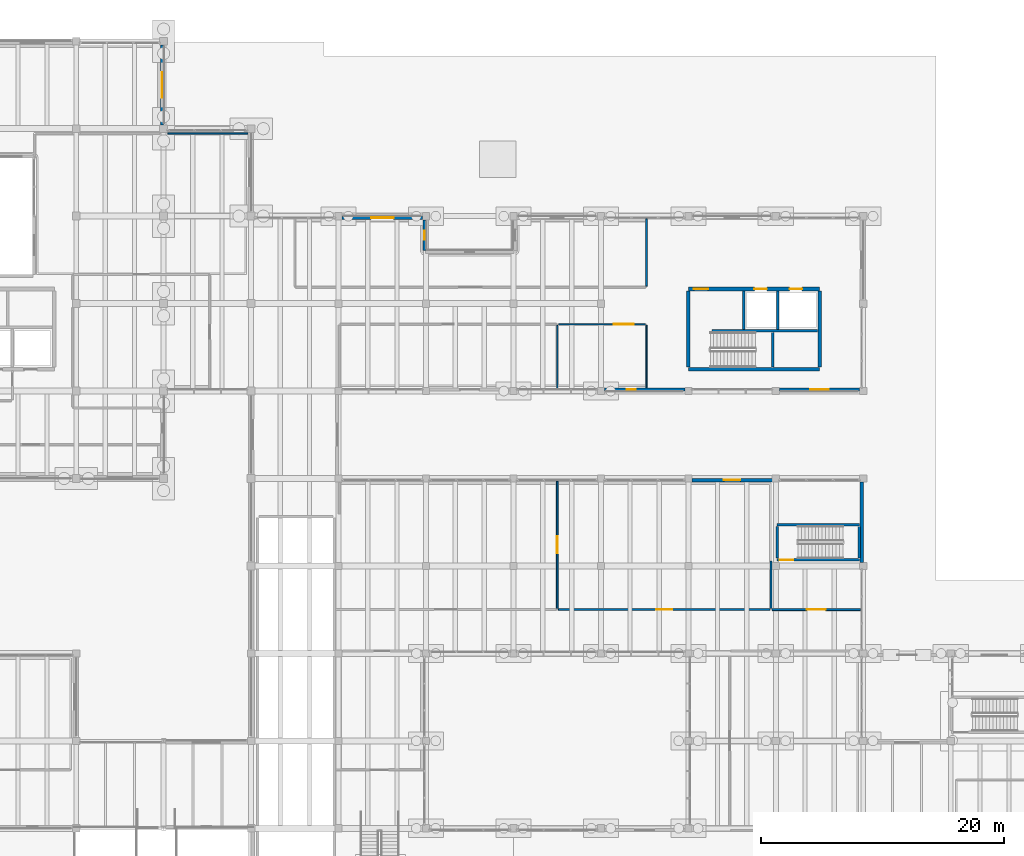
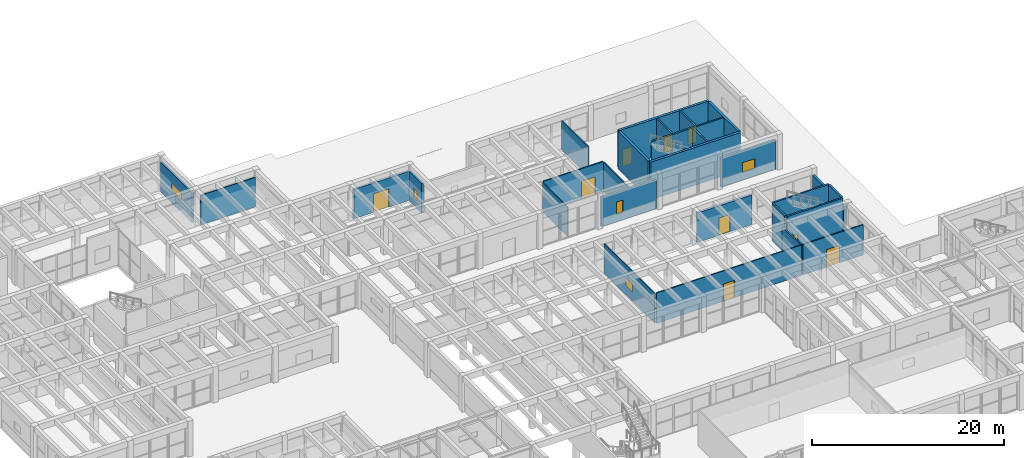
# One storey, part 125 of 155: 28 walls, 9 doors, 5 windows, 14 openings.
"""IFC4 building model written with IfcOpenShell, lengths in metres."""

from ifc_helpers import new_model, si_unit, direction, frame, frame_2d, origin, place, context, subcontext, project, spatial, rectangle, extrude, material, layer, layer_set, type_object, element, fill, save


model = new_model("IFC4")

# Units and contexts
model_context = context("Model", 3, precision=1e-05, world=origin(), true_north=direction((0.0, 1.0)))
body_context = subcontext(model_context, "Body", "Model", "MODEL_VIEW")
ifc_project = project(units=[si_unit("LENGTHUNIT", "METRE"), si_unit("AREAUNIT", "SQUARE_METRE"), si_unit("VOLUMEUNIT", "CUBIC_METRE"), si_unit("PLANEANGLEUNIT", "RADIAN"), si_unit("MASSUNIT", "GRAM", prefix="KILO")], contexts=[model_context])

# Site, building, storey
site_placement = place(None, origin())
site = spatial("IfcSite", under=ifc_project, at=site_placement, CompositionType="ELEMENT")
building_placement = place(site_placement, origin())
building = spatial("IfcBuilding", under=site, at=building_placement, Name="Bramvelor Terrace Health Centre", CompositionType="ELEMENT")
storey_placement = place(building_placement, origin())
storey = spatial("IfcBuildingStorey", under=building, at=storey_placement, Name="L01", CompositionType="ELEMENT", Elevation=0.0)

# Walls
ifc_material_1 = material(Name="Acoustic clinical partition board", Category="gypsum")
ifc_layer_1 = layer(ifc_material_1, 0.110107421875)
ifc_layer_set_1 = layer_set([ifc_layer_1], Name="Acoustic clinical partition board")
wall_type_1 = type_object("IfcWallType", Name="WL-CLN-110", PredefinedType="PARTITIONING", material=ifc_layer_set_1)
wall_1_placement = place(storey_placement, frame((68.39990234375, 91.80810546875, 0.0), z_axis=(0.0, 0.0, 1.0), x_axis=(0.0, -1.0, 0.0)))
element("IfcWall", 1, at=wall_1_placement, inside=storey, type_object=wall_type_1, Name="L01 Interior Partition 123", PredefinedType="PARTITIONING", context=body_context, shape_type="SweptSolid", body=[
    extrude(rectangle(XDim=5.17822265625, YDim=0.110107421875, at=frame_2d((2.589111328125, 0.0))), origin(), (0.0, 0.0, 1.0), 3.72998046875),
])
ifc_material_2 = material(Name="Acoustic clinical partition board", Category="gypsum")
ifc_layer_2 = layer(ifc_material_2, 0.1201171875)
ifc_layer_set_2 = layer_set([ifc_layer_2], Name="Acoustic clinical partition board")
wall_type_2 = type_object("IfcWallType", Name="WL-CLN-120", PredefinedType="PARTITIONING", material=ifc_layer_set_2)
wall_2_placement = place(storey_placement, frame((36.340087890625, 107.60009765625, 0.0), z_axis=(0.0, 0.0, 1.0), x_axis=(1.0, 0.0, 0.0)))
element("IfcWall", 2, at=wall_2_placement, inside=storey, type_object=wall_type_2, Name="L01 Interior Partition 118", PredefinedType="PARTITIONING", context=body_context, shape_type="SweptSolid", body=[
    extrude(rectangle(XDim=6.58984375, YDim=0.1201171875, at=frame_2d((3.294921875, 0.0))), origin(), (0.0, 0.0, 1.0), 3.760009765625),
])
wall_3_placement = place(storey_placement, frame((75.75, 91.80810546875, 0.0), z_axis=(0.0, 0.0, 1.0), x_axis=(0.0, -1.0, 0.0)))
element("IfcWall", 3, at=wall_3_placement, inside=storey, type_object=wall_type_2, Name="L01 Interior Partition 125", PredefinedType="PARTITIONING", context=body_context, shape_type="SweptSolid", body=[
    extrude(rectangle(XDim=5.14306640625, YDim=0.1201171875, at=frame_2d((2.571533203125, 0.0))), origin(), (0.0, 0.0, 1.0), 3.72998046875),
])

# Wall, opening, window
ifc_material_3 = material(Name="Acoustic clinical partition board", Category="gypsum")
ifc_layer_3 = layer(ifc_material_3, 0.1298828125)
ifc_layer_set_3 = layer_set([ifc_layer_3], Name="Acoustic clinical partition board")
wall_type_3 = type_object("IfcWallType", Name="WL-CLN-130", PredefinedType="PARTITIONING", material=ifc_layer_set_3)
wall_4_placement = place(storey_placement, frame((68.39990234375, 78.969970703125, 0.0), z_axis=(0.0, 0.0, 1.0), x_axis=(0.0, -1.0, 0.0)))
wall_4 = element("IfcWall", 4, at=wall_4_placement, inside=storey, type_object=wall_type_3, Name="L01 Interior Partition 88", PredefinedType="PARTITIONING", context=body_context, shape_type="SweptSolid", body=[
    extrude(rectangle(XDim=10.469970703125, YDim=0.1298828125, at=frame_2d((5.23486328125, 0.0))), origin(), (0.0, 0.0, 1.0), 3.760009765625),
])
opening_1_placement = place(wall_4_placement, frame((4.534912109375, 0.0, 1.14990234375)))
opening_1 = element("IfcOpeningElement", 5, at=opening_1_placement, cuts=wall_4, Name="Opening IWN-1", PredefinedType="OPENING", context=body_context, shape_type="SweptSolid", body=[
    extrude(rectangle(XDim=1.39990234375, YDim=1.050048828125, at=frame_2d((0.699951171875, 0.52490234375))), frame((0.0, 0.074951171875, 0.0), z_axis=(0.0, -1.0, 0.0), x_axis=(1.0, 0.0, 0.0)), (0.0, 0.0, 1.0), 0.14990234375),
])
ifc_material_4 = material(Name="Acoustic laminated observation glass", Category="glass")
window_type_1 = type_object("IfcWindowType", Name="WIN-INT-OBS140", PartitioningType="SINGLE_PANEL", PredefinedType="WINDOW", material=ifc_material_4)
window_1_placement = place(opening_1_placement, origin())
window_1 = element("IfcWindow", 6, at=window_1_placement, inside=storey, type_object=window_type_1, Name="L01 Clinical Observation Window 13", OverallHeight=1.050048828125, OverallWidth=1.39990234375, PartitioningType="SINGLE_PANEL", PredefinedType="WINDOW", context=body_context, shape_type="SweptSolid", body=[
    extrude(rectangle(XDim=1.39990234375, YDim=1.050048828125, at=frame_2d((0.699951171875, 0.52490234375))), frame((0.0, 0.030029296875, 0.0), z_axis=(0.0, -1.0, 0.0), x_axis=(1.0, 0.0, 0.0)), (0.0, 0.0, 1.0), 0.06005859375),
])
fill(opening_1, window_1)

# Wall, opening, door
ifc_material_5 = material(Name="Fire-rated gypsum and mineral wool", Category="gypsum")
ifc_layer_4 = layer(ifc_material_5, 0.139892578125)
ifc_layer_set_4 = layer_set([ifc_layer_4], Name="Fire-rated gypsum and mineral wool")
wall_type_4 = type_object("IfcWallType", Name="WL-COR-140", PredefinedType="PARTITIONING", material=ifc_layer_set_4)
wall_5_placement = place(storey_placement, frame((85.89990234375, 68.409912109375, 0.0), z_axis=(0.0, 0.0, 1.0), x_axis=(-1.0, 0.0, 0.0)))
wall_5 = element("IfcWall", 7, at=wall_5_placement, inside=storey, type_object=wall_type_4, Name="L01 Interior Partition 91", PredefinedType="PARTITIONING", context=body_context, shape_type="SweptSolid", body=[
    extrude(rectangle(XDim=17.39990234375, YDim=0.139892578125, at=frame_2d((8.699951171875, 0.0))), origin(), (0.0, 0.0, 1.0), 3.860107421875),
])
opening_2_placement = place(wall_5_placement, frame((8.0400390625, 0.0, 0.0)))
opening_2 = element("IfcOpeningElement", 8, at=opening_2_placement, cuts=wall_5, Name="Opening FD-05", PredefinedType="OPENING", context=body_context, shape_type="SweptSolid", body=[
    extrude(rectangle(XDim=1.320068359375, YDim=2.199951171875, at=frame_2d((0.66015625, 1.10009765625))), frame((0.0, 0.079833984375, 0.0), z_axis=(0.0, -1.0, 0.0), x_axis=(1.0, 0.0, 0.0)), (0.0, 0.0, 1.0), 0.159912109375),
])
ifc_material_6 = material(Name="Fire-rated steel and vision panel", Category="steel")
door_type_1 = type_object("IfcDoorType", Name="DR-FD60-132", OperationType="NOTDEFINED", PredefinedType="DOOR", material=ifc_material_6)
door_1_placement = place(opening_2_placement, origin())
door_1 = element("IfcDoor", 9, at=door_1_placement, inside=storey, type_object=door_type_1, Name="L01 Walk-In Acute Observation Bay Fire Door", OperationType="SINGLE_SWING_RIGHT", OverallHeight=2.199951171875, OverallWidth=1.320068359375, PredefinedType="DOOR", context=body_context, shape_type="SweptSolid", body=[
    extrude(rectangle(XDim=1.320068359375, YDim=2.199951171875, at=frame_2d((0.66015625, 1.10009765625))), frame((0.0, 0.02490234375, 0.0), z_axis=(0.0, -1.0, 0.0), x_axis=(1.0, 0.0, 0.0)), (0.0, 0.0, 1.0), 0.050048828125),
])
fill(opening_2, door_1)

wall_6_placement = place(storey_placement, frame((68.5, 91.89794921875, 0.0), z_axis=(0.0, 0.0, 1.0), x_axis=(1.0, 0.0, 0.0)))
wall_6 = element("IfcWall", 10, at=wall_6_placement, inside=storey, type_object=wall_type_4, Name="L01 Interior Partition 124", PredefinedType="PARTITIONING", context=body_context, shape_type="SweptSolid", body=[
    extrude(rectangle(XDim=7.159912109375, YDim=0.139892578125, at=frame_2d((3.580078125, 0.0))), origin(), (0.0, 0.0, 1.0), 3.830078125),
])
opening_3_placement = place(wall_6_placement, frame((4.56005859375, 0.0, 0.0)))
opening_3 = element("IfcOpeningElement", 11, at=opening_3_placement, cuts=wall_6, Name="Opening FD-09", PredefinedType="OPENING", context=body_context, shape_type="SweptSolid", body=[
    extrude(rectangle(XDim=1.639892578125, YDim=2.239990234375, at=frame_2d((0.81982421875, 1.1201171875))), frame((0.0, 0.079833984375, 0.0), z_axis=(0.0, -1.0, 0.0), x_axis=(1.0, 0.0, 0.0)), (0.0, 0.0, 1.0), 0.159912109375),
])
ifc_material_7 = material(Name="Fire-rated steel and vision panel", Category="steel")
door_type_2 = type_object("IfcDoorType", Name="DR-FD60-164", OperationType="DOUBLE_DOOR_SINGLE_SWING", PredefinedType="DOOR", material=ifc_material_7)
door_2_placement = place(opening_3_placement, origin())
door_2 = element("IfcDoor", 12, at=door_2_placement, inside=storey, type_object=door_type_2, Name="L01 Diagnostic Ultrasound Clinic 1 Fire Door", OperationType="DOUBLE_DOOR_SINGLE_SWING", OverallHeight=2.239990234375, OverallWidth=1.639892578125, PredefinedType="DOOR", context=body_context, shape_type="SweptSolid", body=[
    extrude(rectangle(XDim=1.639892578125, YDim=2.239990234375, at=frame_2d((0.81982421875, 1.1201171875))), frame((0.0, 0.02490234375, 0.0), z_axis=(0.0, -1.0, 0.0), x_axis=(1.0, 0.0, 0.0)), (0.0, 0.0, 1.0), 0.050048828125),
])
fill(opening_3, door_2)

# Walls
wall_7_placement = place(storey_placement, frame((75.75, 100.570068359375, 0.0), z_axis=(0.0, 0.0, 1.0), x_axis=(0.0, -1.0, 0.0)))
element("IfcWall", 13, at=wall_7_placement, inside=storey, type_object=wall_type_4, Name="L01 Interior Partition 128", PredefinedType="PARTITIONING", context=body_context, shape_type="SweptSolid", body=[
    extrude(rectangle(XDim=5.528076171875, YDim=0.139892578125, at=frame_2d((2.76416015625, 0.0))), origin(), (0.0, 0.0, 1.0), 3.72998046875),
])
ifc_material_8 = material(Name="Concrete C40/50", Category="concrete")
ifc_layer_5 = layer(ifc_material_8, 0.199951171875)
ifc_layer_set_5 = layer_set([ifc_layer_5], Name="Concrete C40/50")
wall_type_5 = type_object("IfcWallType", Name="WL-CORE-200", PredefinedType="SHEAR", material=ifc_layer_set_5)
wall_8_placement = place(storey_placement, frame((81.14990234375, 91.35009765625, 0.0), z_axis=(0.0, 0.0, 1.0), x_axis=(1.0, 0.0, 0.0)))
element("IfcWall", 14, at=wall_8_placement, inside=storey, type_object=wall_type_5, Name="C4 L01 Core Shear Wall", PredefinedType="SHEAR", context=body_context, shape_type="SweptSolid", body=[
    extrude(rectangle(XDim=8.670166015625, YDim=0.199951171875, at=frame_2d((4.3349609375, 0.0))), origin(), (0.0, 0.0, 1.0), 4.800048828125),
])
wall_9_placement = place(storey_placement, frame((86.155029296875, 88.3798828125, 0.0), z_axis=(0.0, 0.0, 1.0), x_axis=(0.0, 1.0, 0.0)))
element("IfcWall", 15, at=wall_9_placement, inside=storey, type_object=wall_type_5, Name="C4 L01 Core Shear Wall", PredefinedType="SHEAR", context=body_context, shape_type="SweptSolid", body=[
    extrude(rectangle(XDim=2.85009765625, YDim=0.199951171875, at=frame_2d((1.425048828125, 0.0))), origin(), (0.0, 0.0, 1.0), 4.800048828125),
])
for number, where, z_axis, x_axis, name in (
    (16, (83.75, 91.469970703125, 0.0), (0.0, 0.0, 1.0), (0.0, 1.0, 0.0), "C4 L01 Core Shear Wall"),
    (17, (86.550048828125, 91.469970703125, 0.0), (0.0, 0.0, 1.0), (0.0, 1.0, 0.0), "C4 L01 Lift Divider Wall"),
):
    element("IfcWall", number, at=place(storey_placement, frame(where, z_axis=z_axis, x_axis=x_axis)), inside=storey, type_object=wall_type_5, Name=name, PredefinedType="SHEAR", context=body_context, shape_type="SweptSolid", body=[
        extrude(rectangle(XDim=3.150146484375, YDim=0.199951171875, at=frame_2d((1.5751953125, 0.0))), origin(), (0.0, 0.0, 1.0), 4.800048828125),
    ])

# Wall, opening, door
wall_10_placement = place(storey_placement, frame((86.5, 72.5, 0.0), z_axis=(0.0, 0.0, 1.0), x_axis=(1.0, 0.0, 0.0)))
wall_10 = element("IfcWall", 18, at=wall_10_placement, inside=storey, type_object=wall_type_5, Name="ST-8 L01 Stair Shaft Wall", PredefinedType="SHEAR", context=body_context, shape_type="SweptSolid", body=[
    extrude(rectangle(XDim=6.77490234375, YDim=0.199951171875, at=frame_2d((3.387451171875, 0.0))), origin(), (0.0, 0.0, 1.0), 4.800048828125),
])
opening_4_placement = place(wall_10_placement, frame((0.219970703125, 0.0, 0.0)))
opening_4 = element("IfcOpeningElement", 19, at=opening_4_placement, cuts=wall_10, Name="Opening FD-06", PredefinedType="OPENING", context=body_context, shape_type="SweptSolid", body=[
    extrude(rectangle(XDim=1.1201171875, YDim=2.139892578125, at=frame_2d((0.56005859375, 1.06982421875))), frame((0.0, 0.10986328125, 0.0), z_axis=(0.0, -1.0, 0.0), x_axis=(1.0, 0.0, 0.0)), (0.0, 0.0, 1.0), 0.219970703125),
])
ifc_material_9 = material(Name="Fire-rated steel and vision panel", Category="steel")
door_type_3 = type_object("IfcDoorType", Name="DR-FD60-112", OperationType="NOTDEFINED", PredefinedType="DOOR", material=ifc_material_9)
door_3_placement = place(opening_4_placement, origin())
door_3 = element("IfcDoor", 20, at=door_3_placement, inside=storey, type_object=door_type_3, Name="ST-8 L01 Exit Stair Fire Door", OperationType="SINGLE_SWING_LEFT", OverallHeight=2.139892578125, OverallWidth=1.1201171875, PredefinedType="DOOR", context=body_context, shape_type="SweptSolid", body=[
    extrude(rectangle(XDim=1.1201171875, YDim=2.139892578125, at=frame_2d((0.56005859375, 1.06982421875))), frame((0.0, 0.02490234375, 0.0), z_axis=(0.0, -1.0, 0.0), x_axis=(1.0, 0.0, 0.0)), (0.0, 0.0, 1.0), 0.050048828125),
])
fill(opening_4, door_3)

# Walls
wall_11_placement = place(storey_placement, frame((86.5, 75.39990234375, 0.0), z_axis=(0.0, 0.0, 1.0), x_axis=(1.0, 0.0, 0.0)))
element("IfcWall", 21, at=wall_11_placement, inside=storey, type_object=wall_type_5, Name="ST-8 L01 Stair Shaft Wall", PredefinedType="SHEAR", context=body_context, shape_type="SweptSolid", body=[
    extrude(rectangle(XDim=6.77490234375, YDim=0.199951171875, at=frame_2d((3.387451171875, 0.0))), origin(), (0.0, 0.0, 1.0), 4.800048828125),
])
for number, where, z_axis, x_axis, name in (
    (22, (86.5, 72.64990234375, 0.0), (0.0, 0.0, 1.0), (0.0, 1.0, 0.0), "ST-8 L01 Stair Shaft Wall"),
    (23, (93.27490234375, 72.64990234375, 0.0), (0.0, 0.0, 1.0), (0.0, 1.0, 0.0), "ST-8 L01 Stair Shaft Wall"),
):
    element("IfcWall", number, at=place(storey_placement, frame(where, z_axis=z_axis, x_axis=x_axis)), inside=storey, type_object=wall_type_5, Name=name, PredefinedType="SHEAR", context=body_context, shape_type="SweptSolid", body=[
        extrude(rectangle(XDim=2.60009765625, YDim=0.199951171875, at=frame_2d((1.300048828125, 0.0))), origin(), (0.0, 0.0, 1.0), 4.800048828125),
    ])
ifc_material_10 = material(Name="Concrete C40/50", Category="concrete")
ifc_layer_6 = layer(ifc_material_10, 0.300048828125)
ifc_layer_set_6 = layer_set([ifc_layer_6], Name="Concrete C40/50")
wall_type_6 = type_object("IfcWallType", Name="WL-CORE-300", PredefinedType="SHEAR", material=ifc_layer_set_6)
wall_12_placement = place(storey_placement, frame((79.199951171875, 88.199951171875, 0.0), z_axis=(0.0, 0.0, 1.0), x_axis=(1.0, 0.0, 0.0)))
element("IfcWall", 24, at=wall_12_placement, inside=storey, type_object=wall_type_6, Name="C4 L01 Core Shear Wall", PredefinedType="SHEAR", context=body_context, shape_type="SweptSolid", body=[
    extrude(rectangle(XDim=10.800048828125, YDim=0.300048828125, at=frame_2d((5.39990234375, 0.0))), origin(), (0.0, 0.0, 1.0), 4.800048828125),
])

# Wall, openings, doors
wall_13_placement = place(storey_placement, frame((79.199951171875, 94.800048828125, 0.0), z_axis=(0.0, 0.0, 1.0), x_axis=(1.0, 0.0, 0.0)))
wall_13 = element("IfcWall", 25, at=wall_13_placement, inside=storey, type_object=wall_type_6, Name="C4 L01 Core Shear Wall", PredefinedType="SHEAR", context=body_context, shape_type="SweptSolid", body=[
    extrude(rectangle(XDim=10.800048828125, YDim=0.300048828125, at=frame_2d((5.39990234375, 0.0))), origin(), (0.0, 0.0, 1.0), 4.800048828125),
])
opening_5_placement = place(wall_13_placement, frame((0.449951171875, 0.0, 0.0)))
opening_5 = element("IfcOpeningElement", 26, at=opening_5_placement, cuts=wall_13, Name="Opening FD-02", PredefinedType="OPENING", context=body_context, shape_type="SweptSolid", body=[
    extrude(rectangle(XDim=1.179931640625, YDim=2.159912109375, at=frame_2d((0.58984375, 1.080078125))), frame((0.0, 0.159912109375, 0.0), z_axis=(0.0, -1.0, 0.0), x_axis=(1.0, 0.0, 0.0)), (0.0, 0.0, 1.0), 0.320068359375),
])
opening_6_placement = place(wall_13_placement, frame((5.43994140625, 0.0, 0.0)))
opening_6 = element("IfcOpeningElement", 27, at=opening_6_placement, cuts=wall_13, Name="Opening LD-2", PredefinedType="OPENING", context=body_context, shape_type="SweptSolid", body=[
    extrude(rectangle(XDim=1.02001953125, YDim=2.1201171875, at=frame_2d((0.510009765625, 1.06005859375))), frame((0.0, 0.159912109375, 0.0), z_axis=(0.0, -1.0, 0.0), x_axis=(1.0, 0.0, 0.0)), (0.0, 0.0, 1.0), 0.320068359375),
])
opening_7_placement = place(wall_13_placement, frame((8.340087890625, 0.0, 0.0)))
opening_7 = element("IfcOpeningElement", 28, at=opening_7_placement, cuts=wall_13, Name="Opening LD-2", PredefinedType="OPENING", context=body_context, shape_type="SweptSolid", body=[
    extrude(rectangle(XDim=1.02001953125, YDim=2.1201171875, at=frame_2d((0.510009765625, 1.06005859375))), frame((0.0, 0.159912109375, 0.0), z_axis=(0.0, -1.0, 0.0), x_axis=(1.0, 0.0, 0.0)), (0.0, 0.0, 1.0), 0.320068359375),
])
ifc_material_11 = material(Name="Fire-rated steel and vision panel", Category="steel")
door_type_4 = type_object("IfcDoorType", Name="DR-FD90-118", OperationType="NOTDEFINED", PredefinedType="DOOR", material=ifc_material_11)
door_4_placement = place(opening_5_placement, origin())
door_4 = element("IfcDoor", 29, at=door_4_placement, inside=storey, type_object=door_type_4, Name="C4 L01 Core Stair Fire Door", OperationType="SINGLE_SWING_LEFT", OverallHeight=2.159912109375, OverallWidth=1.179931640625, PredefinedType="DOOR", context=body_context, shape_type="SweptSolid", body=[
    extrude(rectangle(XDim=1.179931640625, YDim=2.159912109375, at=frame_2d((0.58984375, 1.080078125))), frame((0.0, 0.02490234375, 0.0), z_axis=(0.0, -1.0, 0.0), x_axis=(1.0, 0.0, 0.0)), (0.0, 0.0, 1.0), 0.050048828125),
])
fill(opening_5, door_4)
ifc_material_12 = material(Name="Brushed stainless steel 316", Category="steel")
door_type_5 = type_object("IfcDoorType", Name="DR-LIFT-PS102", OperationType="SLIDING_TO_LEFT", PredefinedType="DOOR", material=ifc_material_12)
door_5_placement = place(opening_6_placement, origin())
door_5 = element("IfcDoor", 30, at=door_5_placement, inside=storey, type_object=door_type_5, Name="Lift LS-01 L01 Sliding Landing Door", OperationType="SLIDING_TO_LEFT", OverallHeight=2.1201171875, OverallWidth=1.02001953125, PredefinedType="DOOR", context=body_context, shape_type="SweptSolid", body=[
    extrude(rectangle(XDim=1.02001953125, YDim=2.1201171875, at=frame_2d((0.510009765625, 1.06005859375))), frame((0.0, 0.02490234375, 0.0), z_axis=(0.0, -1.0, 0.0), x_axis=(1.0, 0.0, 0.0)), (0.0, 0.0, 1.0), 0.050048828125),
])
fill(opening_6, door_5)
door_6_placement = place(opening_7_placement, origin())
door_6 = element("IfcDoor", 31, at=door_6_placement, inside=storey, type_object=door_type_5, Name="Lift LS-02 L01 Sliding Landing Door", OperationType="SLIDING_TO_LEFT", OverallHeight=2.1201171875, OverallWidth=1.02001953125, PredefinedType="DOOR", context=body_context, shape_type="SweptSolid", body=[
    extrude(rectangle(XDim=1.02001953125, YDim=2.1201171875, at=frame_2d((0.510009765625, 1.06005859375))), frame((0.0, 0.02490234375, 0.0), z_axis=(0.0, -1.0, 0.0), x_axis=(1.0, 0.0, 0.0)), (0.0, 0.0, 1.0), 0.050048828125),
])
fill(opening_7, door_6)

# Walls
for number, where, z_axis, x_axis, name in (
    (32, (79.199951171875, 88.3798828125, 0.0), (0.0, 0.0, 1.0), (0.0, 1.0, 0.0), "C4 L01 Core Shear Wall"),
    (33, (90.0, 88.3798828125, 0.0), (0.0, 0.0, 1.0), (0.0, 1.0, 0.0), "C4 L01 Core Shear Wall"),
):
    element("IfcWall", number, at=place(storey_placement, frame(where, z_axis=z_axis, x_axis=x_axis)), inside=storey, type_object=wall_type_6, Name=name, PredefinedType="SHEAR", context=body_context, shape_type="SweptSolid", body=[
        extrude(rectangle(XDim=6.240234375, YDim=0.300048828125, at=frame_2d((3.1201171875, 0.0))), origin(), (0.0, 0.0, 1.0), 4.800048828125),
    ])

# Wall, opening, window
ifc_material_13 = material(Name="Precast concrete C40/50", Category="concrete")
ifc_layer_7 = layer(ifc_material_13, 0.25)
ifc_layer_set_7 = layer_set([ifc_layer_7], Name="Precast concrete C40/50")
wall_type_7 = type_object("IfcWallType", Name="WL-EXT-RC250", PredefinedType="SOLIDWALL", material=ifc_layer_set_7)
wall_14_placement = place(storey_placement, frame((35.8701171875, 114.8798828125, 0.0), z_axis=(0.0, 0.0, 1.0), x_axis=(0.0, -1.0, 0.0)))
wall_14 = element("IfcWall", 34, at=wall_14_placement, inside=storey, type_object=wall_type_7, Name="L01 Exterior Facade Wall 47", PredefinedType="SOLIDWALL", context=body_context, shape_type="SweptSolid", body=[
    extrude(rectangle(XDim=6.559814453125, YDim=0.25, at=frame_2d((3.27978515625, 0.0))), origin(), (0.0, 0.0, 1.0), 3.760009765625),
])
opening_8_placement = place(wall_14_placement, frame((2.22998046875, 0.0, 1.5)))
opening_8 = element("IfcOpeningElement", 35, at=opening_8_placement, cuts=wall_14, Name="Opening WN-22", PredefinedType="OPENING", context=body_context, shape_type="SweptSolid", body=[
    extrude(rectangle(XDim=2.10009765625, YDim=0.949951171875, at=frame_2d((1.050048828125, 0.47509765625))), frame((0.0, 0.135009765625, 0.0), z_axis=(0.0, -1.0, 0.0), x_axis=(1.0, 0.0, 0.0)), (0.0, 0.0, 1.0), 0.27001953125),
])
ifc_material_14 = material(Name="Double low-E laminated glass", Category="glass")
window_type_2 = type_object("IfcWindowType", Name="WIN-EXT-22", PartitioningType="SINGLE_PANEL", PredefinedType="WINDOW", material=ifc_material_14)
window_2_placement = place(opening_8_placement, origin())
window_2 = element("IfcWindow", 36, at=window_2_placement, inside=storey, type_object=window_type_2, Name="L01 Scheduled Clinical Window 22", OverallHeight=0.949951171875, OverallWidth=2.10009765625, PartitioningType="SINGLE_PANEL", PredefinedType="WINDOW", context=body_context, shape_type="SweptSolid", body=[
    extrude(rectangle(XDim=2.10009765625, YDim=0.949951171875, at=frame_2d((1.050048828125, 0.47509765625))), frame((0.0, 0.030029296875, 0.0), z_axis=(0.0, -1.0, 0.0), x_axis=(1.0, 0.0, 0.0)), (0.0, 0.0, 1.0), 0.06005859375),
])
fill(opening_8, window_2)

# Wall, opening, door
wall_15_placement = place(storey_placement, frame((50.695068359375, 100.669921875, 0.0), z_axis=(0.0, 0.0, 1.0), x_axis=(1.0, 0.0, 0.0)))
wall_15 = element("IfcWall", 37, at=wall_15_placement, inside=storey, type_object=wall_type_7, Name="L01 Exterior Facade Wall 51", PredefinedType="SOLIDWALL", context=body_context, shape_type="SweptSolid", body=[
    extrude(rectangle(XDim=6.60986328125, YDim=0.25, at=frame_2d((3.304931640625, 0.0))), origin(), (0.0, 0.0, 1.0), 3.72998046875),
])
opening_9_placement = place(wall_15_placement, frame((2.3798828125, 0.0, 0.0)))
opening_9 = element("IfcOpeningElement", 38, at=opening_9_placement, cuts=wall_15, Name="Opening ED-04", PredefinedType="OPENING", context=body_context, shape_type="SweptSolid", body=[
    extrude(rectangle(XDim=1.85009765625, YDim=2.35009765625, at=frame_2d((0.925048828125, 1.175048828125))), frame((0.0, 0.135009765625, 0.0), z_axis=(0.0, -1.0, 0.0), x_axis=(1.0, 0.0, 0.0)), (0.0, 0.0, 1.0), 0.27001953125),
])
ifc_material_15 = material(Name="Anodized aluminium and laminated glass", Category="aluminium")
door_type_6 = type_object("IfcDoorType", Name="DR-EXT-AMB-185", OperationType="DOUBLE_DOOR_SINGLE_SWING", PredefinedType="DOOR", material=ifc_material_15)
door_7_placement = place(opening_9_placement, origin())
door_7 = element("IfcDoor", 39, at=door_7_placement, inside=storey, type_object=door_type_6, Name="L01 Exterior Door 4", OperationType="DOUBLE_DOOR_SINGLE_SWING", OverallHeight=2.35009765625, OverallWidth=1.85009765625, PredefinedType="DOOR", context=body_context, shape_type="SweptSolid", body=[
    extrude(rectangle(XDim=1.85009765625, YDim=2.35009765625, at=frame_2d((0.925048828125, 1.175048828125))), frame((0.0, 0.02490234375, 0.0), z_axis=(0.0, -1.0, 0.0), x_axis=(1.0, 0.0, 0.0)), (0.0, 0.0, 1.0), 0.050048828125),
])
fill(opening_9, door_7)

# Wall, opening, window
wall_16_placement = place(storey_placement, frame((93.304931640625, 86.530029296875, 0.0), z_axis=(0.0, 0.0, 1.0), x_axis=(-1.0, 0.0, 0.0)))
wall_16 = element("IfcWall", 40, at=wall_16_placement, inside=storey, type_object=wall_type_7, Name="L01 Exterior Facade Wall 61", PredefinedType="SOLIDWALL", context=body_context, shape_type="SweptSolid", body=[
    extrude(rectangle(XDim=6.60986328125, YDim=0.25, at=frame_2d((3.304931640625, 0.0))), origin(), (0.0, 0.0, 1.0), 3.72998046875),
])
opening_10_placement = place(wall_16_placement, frame((2.554931640625, 0.0, 0.949951171875)))
opening_10 = element("IfcOpeningElement", 41, at=opening_10_placement, cuts=wall_16, Name="Opening WN-30", PredefinedType="OPENING", context=body_context, shape_type="SweptSolid", body=[
    extrude(rectangle(XDim=1.5, YDim=1.25, at=frame_2d((0.75, 0.625))), frame((0.0, 0.135009765625, 0.0), z_axis=(0.0, -1.0, 0.0), x_axis=(1.0, 0.0, 0.0)), (0.0, 0.0, 1.0), 0.27001953125),
])
ifc_material_16 = material(Name="Double low-E laminated glass", Category="glass")
window_type_3 = type_object("IfcWindowType", Name="WIN-EXT-30", PartitioningType="SINGLE_PANEL", PredefinedType="WINDOW", material=ifc_material_16)
window_3_placement = place(opening_10_placement, origin())
window_3 = element("IfcWindow", 42, at=window_3_placement, inside=storey, type_object=window_type_3, Name="L01 Scheduled Clinical Window 30", OverallHeight=1.25, OverallWidth=1.5, PartitioningType="SINGLE_PANEL", PredefinedType="WINDOW", context=body_context, shape_type="SweptSolid", body=[
    extrude(rectangle(XDim=1.5, YDim=1.25, at=frame_2d((0.75, 0.625))), frame((0.0, 0.030029296875, 0.0), z_axis=(0.0, -1.0, 0.0), x_axis=(1.0, 0.0, 0.0)), (0.0, 0.0, 1.0), 0.06005859375),
])
fill(opening_10, window_3)

wall_17_placement = place(storey_placement, frame((78.905029296875, 86.530029296875, 0.0), z_axis=(0.0, 0.0, 1.0), x_axis=(-1.0, 0.0, 0.0)))
wall_17 = element("IfcWall", 43, at=wall_17_placement, inside=storey, type_object=wall_type_7, Name="L01 Exterior Facade Wall 63", PredefinedType="SOLIDWALL", context=body_context, shape_type="SweptSolid", body=[
    extrude(rectangle(XDim=6.610107421875, YDim=0.25, at=frame_2d((3.30517578125, 0.0))), origin(), (0.0, 0.0, 1.0), 3.72998046875),
])
opening_11_placement = place(wall_17_placement, frame((4.030029296875, 0.0, 0.949951171875)))
opening_11 = element("IfcOpeningElement", 44, at=opening_11_placement, cuts=wall_17, Name="Opening WN-37", PredefinedType="OPENING", context=body_context, shape_type="SweptSolid", body=[
    extrude(rectangle(XDim=0.75, YDim=1.550048828125, at=frame_2d((0.375, 0.77490234375))), frame((0.0, 0.135009765625, 0.0), z_axis=(0.0, -1.0, 0.0), x_axis=(1.0, 0.0, 0.0)), (0.0, 0.0, 1.0), 0.27001953125),
])
ifc_material_17 = material(Name="Double low-E laminated glass", Category="glass")
window_type_4 = type_object("IfcWindowType", Name="WIN-EXT-37", PartitioningType="SINGLE_PANEL", PredefinedType="WINDOW", material=ifc_material_17)
window_4_placement = place(opening_11_placement, origin())
window_4 = element("IfcWindow", 45, at=window_4_placement, inside=storey, type_object=window_type_4, Name="L01 Scheduled Clinical Window 31", OverallHeight=1.550048828125, OverallWidth=0.75, PartitioningType="SINGLE_PANEL", PredefinedType="WINDOW", context=body_context, shape_type="SweptSolid", body=[
    extrude(rectangle(XDim=0.75, YDim=1.550048828125, at=frame_2d((0.375, 0.77490234375))), frame((0.0, 0.030029296875, 0.0), z_axis=(0.0, -1.0, 0.0), x_axis=(1.0, 0.0, 0.0)), (0.0, 0.0, 1.0), 0.06005859375),
])
fill(opening_11, window_4)

ifc_material_18 = material(Name="Precast concrete C40/50", Category="concrete")
ifc_layer_8 = layer(ifc_material_18, 0.280029296875)
ifc_layer_set_8 = layer_set([ifc_layer_8], Name="Precast concrete C40/50")
wall_type_8 = type_object("IfcWallType", Name="WL-EXT-RC280", PredefinedType="SOLIDWALL", material=ifc_layer_set_8)
wall_18_placement = place(storey_placement, frame((57.469970703125, 100.5048828125, 0.0), z_axis=(0.0, 0.0, 1.0), x_axis=(0.0, -1.0, 0.0)))
wall_18 = element("IfcWall", 46, at=wall_18_placement, inside=storey, type_object=wall_type_8, Name="L01 Exterior Facade Wall 52", PredefinedType="SOLIDWALL", context=body_context, shape_type="SweptSolid", body=[
    extrude(rectangle(XDim=2.5458984375, YDim=0.280029296875, at=frame_2d((1.27294921875, 0.0))), origin(), (0.0, 0.0, 1.0), 3.72998046875),
])
opening_12_placement = place(wall_18_placement, frame((0.887451171875, 0.0, 0.949951171875)))
opening_12 = element("IfcOpeningElement", 47, at=opening_12_placement, cuts=wall_18, Name="Opening WN-25", PredefinedType="OPENING", context=body_context, shape_type="SweptSolid", body=[
    extrude(rectangle(XDim=0.75, YDim=1.25, at=frame_2d((0.375, 0.625))), frame((0.0, 0.14990234375, 0.0), z_axis=(0.0, -1.0, 0.0), x_axis=(1.0, 0.0, 0.0)), (0.0, 0.0, 1.0), 0.300048828125),
])
ifc_material_19 = material(Name="Double low-E laminated glass", Category="glass")
window_type_5 = type_object("IfcWindowType", Name="WIN-EXT-25", PartitioningType="SINGLE_PANEL", PredefinedType="WINDOW", material=ifc_material_19)
window_5_placement = place(opening_12_placement, origin())
window_5 = element("IfcWindow", 48, at=window_5_placement, inside=storey, type_object=window_type_5, Name="L01 Scheduled Clinical Window 24", OverallHeight=1.25, OverallWidth=0.75, PartitioningType="SINGLE_PANEL", PredefinedType="WINDOW", context=body_context, shape_type="SweptSolid", body=[
    extrude(rectangle(XDim=0.75, YDim=1.25, at=frame_2d((0.375, 0.625))), frame((0.0, 0.030029296875, 0.0), z_axis=(0.0, -1.0, 0.0), x_axis=(1.0, 0.0, 0.0)), (0.0, 0.0, 1.0), 0.06005859375),
])
fill(opening_12, window_5)

# Wall, opening, door
wall_19_placement = place(storey_placement, frame((79.4951171875, 79.070068359375, 0.0), z_axis=(0.0, 0.0, 1.0), x_axis=(1.0, 0.0, 0.0)))
wall_19 = element("IfcWall", 49, at=wall_19_placement, inside=storey, type_object=wall_type_8, Name="L01 Exterior Facade Wall 72", PredefinedType="SOLIDWALL", context=body_context, shape_type="SweptSolid", body=[
    extrude(rectangle(XDim=6.60986328125, YDim=0.280029296875, at=frame_2d((3.304931640625, 0.0))), origin(), (0.0, 0.0, 1.0), 3.760009765625),
])
opening_13_placement = place(wall_19_placement, frame((2.6298828125, 0.0, 0.0)))
opening_13 = element("IfcOpeningElement", 50, at=opening_13_placement, cuts=wall_19, Name="Opening ED-06", PredefinedType="OPENING", context=body_context, shape_type="SweptSolid", body=[
    extrude(rectangle(XDim=1.35009765625, YDim=2.199951171875, at=frame_2d((0.675048828125, 1.10009765625))), frame((0.0, 0.14990234375, 0.0), z_axis=(0.0, -1.0, 0.0), x_axis=(1.0, 0.0, 0.0)), (0.0, 0.0, 1.0), 0.300048828125),
])
ifc_material_20 = material(Name="Powder-coated steel", Category="steel")
door_type_7 = type_object("IfcDoorType", Name="DR-EXT-EXIT-135", OperationType="NOTDEFINED", PredefinedType="DOOR", material=ifc_material_20)
door_8_placement = place(opening_13_placement, origin())
door_8 = element("IfcDoor", 51, at=door_8_placement, inside=storey, type_object=door_type_7, Name="L01 Exterior Door 6", OperationType="SINGLE_SWING_LEFT", OverallHeight=2.199951171875, OverallWidth=1.35009765625, PredefinedType="DOOR", context=body_context, shape_type="SweptSolid", body=[
    extrude(rectangle(XDim=1.35009765625, YDim=2.199951171875, at=frame_2d((0.675048828125, 1.10009765625))), frame((0.0, 0.02490234375, 0.0), z_axis=(0.0, -1.0, 0.0), x_axis=(1.0, 0.0, 0.0)), (0.0, 0.0, 1.0), 0.050048828125),
])
fill(opening_13, door_8)

# Walls
wall_20_placement = place(storey_placement, frame((93.469970703125, 78.905029296875, 0.0), z_axis=(0.0, 0.0, 1.0), x_axis=(0.0, -1.0, 0.0)))
element("IfcWall", 52, at=wall_20_placement, inside=storey, type_object=wall_type_8, Name="L01 Exterior Facade Wall 74", PredefinedType="SOLIDWALL", context=body_context, shape_type="SweptSolid", body=[
    extrude(rectangle(XDim=6.610107421875, YDim=0.280029296875, at=frame_2d((3.30517578125, 0.0))), origin(), (0.0, 0.0, 1.0), 3.760009765625),
])
ifc_material_21 = material(Name="Fire-rated gypsum and mineral wool", Category="gypsum")
ifc_layer_9 = layer(ifc_material_21, 0.14990234375)
ifc_layer_set_9 = layer_set([ifc_layer_9], Name="Fire-rated gypsum and mineral wool")
wall_type_9 = type_object("IfcWallType", Name="WL-FIR-150", PredefinedType="PARTITIONING", material=ifc_layer_set_9)
wall_21_placement = place(storey_placement, frame((86.0, 68.5, 0.0), z_axis=(0.0, 0.0, 1.0), x_axis=(0.0, 1.0, 0.0)))
element("IfcWall", 53, at=wall_21_placement, inside=storey, type_object=wall_type_9, Name="L01 Interior Partition 55", PredefinedType="PARTITIONING", context=body_context, shape_type="SweptSolid", body=[
    extrude(rectangle(XDim=3.909912109375, YDim=0.14990234375, at=frame_2d((1.955078125, 0.0))), origin(), (0.0, 0.0, 1.0), 3.760009765625),
])

# Wall, opening, door
wall_22_placement = place(storey_placement, frame((93.3701171875, 68.409912109375, 0.0), z_axis=(0.0, 0.0, 1.0), x_axis=(-1.0, 0.0, 0.0)))
wall_22 = element("IfcWall", 54, at=wall_22_placement, inside=storey, type_object=wall_type_9, Name="L01 Interior Partition 56", PredefinedType="PARTITIONING", context=body_context, shape_type="SweptSolid", body=[
    extrude(rectangle(XDim=7.280029296875, YDim=0.14990234375, at=frame_2d((3.64013671875, 0.0))), origin(), (0.0, 0.0, 1.0), 3.860107421875),
])
opening_14_placement = place(wall_22_placement, frame((2.860107421875, 0.0, 0.0)))
opening_14 = element("IfcOpeningElement", 55, at=opening_14_placement, cuts=wall_22, Name="Opening FD-03", PredefinedType="OPENING", context=body_context, shape_type="SweptSolid", body=[
    extrude(rectangle(XDim=1.56005859375, YDim=2.219970703125, at=frame_2d((0.780029296875, 1.10986328125))), frame((0.0, 0.0849609375, 0.0), z_axis=(0.0, -1.0, 0.0), x_axis=(1.0, 0.0, 0.0)), (0.0, 0.0, 1.0), 0.169921875),
])
ifc_material_22 = material(Name="Fire-rated steel and vision panel", Category="steel")
door_type_8 = type_object("IfcDoorType", Name="DR-FD90-156", OperationType="DOUBLE_DOOR_SINGLE_SWING", PredefinedType="DOOR", material=ifc_material_22)
door_9_placement = place(opening_14_placement, origin())
door_9 = element("IfcDoor", 56, at=door_9_placement, inside=storey, type_object=door_type_8, Name="L01 Fire Compartment Lobby Door 22", OperationType="DOUBLE_DOOR_SINGLE_SWING", OverallHeight=2.219970703125, OverallWidth=1.56005859375, PredefinedType="DOOR", context=body_context, shape_type="SweptSolid", body=[
    extrude(rectangle(XDim=1.56005859375, YDim=2.219970703125, at=frame_2d((0.780029296875, 1.10986328125))), frame((0.0, 0.02490234375, 0.0), z_axis=(0.0, -1.0, 0.0), x_axis=(1.0, 0.0, 0.0)), (0.0, 0.0, 1.0), 0.050048828125),
])
fill(opening_14, door_9)

save(model, "model.ifc")
